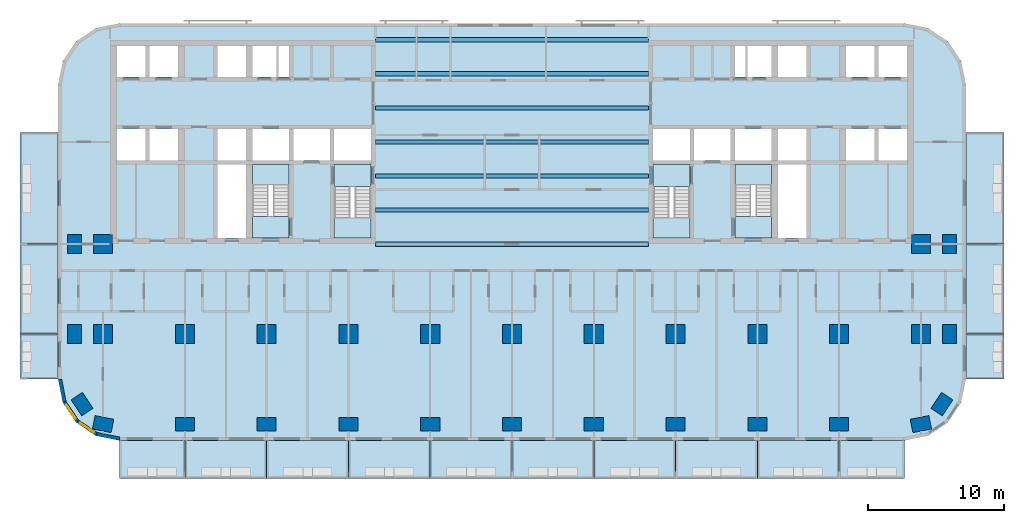
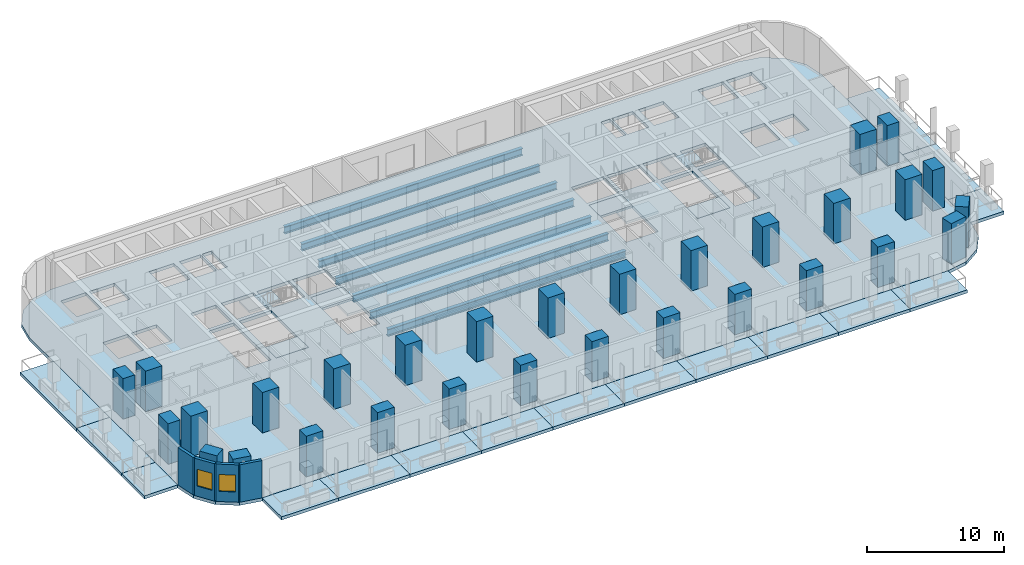
# One storey, part 1 of 15: 30 columns, 25 slabs, 7 beams, 4 walls, 2 windows, 2 openings, 4 elements without a shape of their own.
"""IFC4 building model written with IfcOpenShell, lengths in metres."""

import ifcopenshell
import ifcopenshell.guid

model = None  # the IFC model being written
_history = None  # IfcOwnerHistory: only IFC2X3 demands one
_inside = {}  # id of a spatial element -> (the spatial element, [elements in it])
_under = {}  # id of a project, library or spatial element -> (it, [spatial elements below it])
_declared = {}  # id of a project -> (the project, [libraries it declares])
_typed = {}  # id of a type object -> (the type object, [elements of that type])
_made_of = {}  # id of a material, layer set ... -> (it, [elements and type objects made of it])


def new_model(schema):
    """Start an empty IFC model of exactly this schema.

    Asked for "IFC4X3", IfcOpenShell would pick the latest addendum, in which some entities
    have other attributes; the version numbers below select the first issue.
    IFC2X3 requires an IfcOwnerHistory on every rooted entity: one is made here for all.
    """
    global model, _history
    if schema == "IFC4X3":
        model = ifcopenshell.file(schema_version=(4, 3, 0, 0))
    else:
        model = ifcopenshell.file(schema=schema)
    _inside.clear()
    _under.clear()
    _declared.clear()
    _typed.clear()
    _made_of.clear()
    _history = None
    if model.schema == "IFC2X3":
        org = make("IfcOrganization", Name="unknown")
        user = make(
            "IfcPersonAndOrganization",
            ThePerson=make("IfcPerson", FamilyName="unknown"),
            TheOrganization=org,
        )
        app = make(
            "IfcApplication",
            ApplicationDeveloper=org,
            Version="unknown",
            ApplicationFullName="unknown",
            ApplicationIdentifier="unknown",
        )
        _history = make(
            "IfcOwnerHistory",
            OwningUser=user,
            OwningApplication=app,
            ChangeAction="ADDED",
            CreationDate=0,
        )
    return model


def make(cls, **values):
    """One entity of the class cls with the attributes given. An attribute that is None is left unset."""
    return model.create_entity(
        cls, **{name: value for name, value in values.items() if value is not None}
    )


def rooted(cls, **values):
    """An entity with a GlobalId (a new one), such as an element, a storey or a relation."""
    return make(cls, GlobalId=ifcopenshell.guid.new(), OwnerHistory=_history, **values)


def si_unit(unit_type, name, prefix=None):
    """IfcSIUnit, for example si_unit("LENGTHUNIT", "METRE", prefix="MILLI")."""
    return make("IfcSIUnit", UnitType=unit_type, Prefix=prefix, Name=name)


def assignment(units):
    """IfcUnitAssignment: the units of a project."""
    return None if units is None else make("IfcUnitAssignment", Units=units)


def point(xyz):
    """IfcCartesianPoint."""
    return None if xyz is None else make("IfcCartesianPoint", Coordinates=xyz)


def direction(xyz):
    """IfcDirection."""
    return None if xyz is None else make("IfcDirection", DirectionRatios=xyz)


def frame(location, z_axis=None, x_axis=None):
    """IfcAxis2Placement3D, a coordinate frame: its origin and axes. An axis left out is left unset."""
    return make(
        "IfcAxis2Placement3D",
        Location=point(location),
        Axis=direction(z_axis),
        RefDirection=direction(x_axis),
    )


def frame_2d(location, x_axis=None):
    """IfcAxis2Placement2D, a coordinate frame in the plane: its origin and x axis."""
    return make(
        "IfcAxis2Placement2D", Location=point(location), RefDirection=direction(x_axis)
    )


def origin():
    """The frame at (0, 0, 0) with its axes left unset."""
    return frame((0.0, 0.0, 0.0))


def origin_2d():
    """The frame at (0, 0) in the plane with its x axis left unset."""
    return frame_2d((0.0, 0.0))


def place(relative_to, where):
    """IfcLocalPlacement: puts the frame where relative to a parent placement (None: the world)."""
    return make(
        "IfcLocalPlacement", PlacementRelTo=relative_to, RelativePlacement=where
    )


def context(
    kind, dimensions, precision=None, world=None, true_north=None, identifier=None
):
    """IfcGeometricRepresentationContext, for example the 3D "Model" context."""
    return make(
        "IfcGeometricRepresentationContext",
        ContextIdentifier=identifier,
        ContextType=kind,
        CoordinateSpaceDimension=dimensions,
        Precision=precision,
        WorldCoordinateSystem=world,
        TrueNorth=true_north,
    )


def subcontext(parent, identifier, kind, view, scale=None):
    """IfcGeometricRepresentationSubContext, for example "Body" below "Model"."""
    return make(
        "IfcGeometricRepresentationSubContext",
        ContextIdentifier=identifier,
        ContextType=kind,
        ParentContext=parent,
        TargetScale=scale,
        TargetView=view,
    )


def project(units=None, contexts=None):
    """IfcProject with its units and contexts."""
    return rooted(
        "IfcProject",
        Name="project",
        RepresentationContexts=contexts,
        UnitsInContext=assignment(units),
    )


def spatial(cls, under=None, at=None, **own):
    """A site, building, storey or space (cls), placed at a placement, below another one or the project."""
    s = rooted(cls, ObjectPlacement=at, **own)
    if under is not None:
        _under.setdefault(under.id(), (under, []))[1].append(s)
    return s


def polyline(points):
    """IfcPolyline through the points."""
    return make("IfcPolyline", Points=[point(p) for p in points])


def profile(cls, at=None, kind="AREA", **sizes):
    """A parametric profile (cls). Its sizes go by their IFC names, for example OverallWidth=200.0."""
    return make(cls, ProfileType=kind, Position=at, **sizes)


def rectangle(**sizes):
    """IfcRectangleProfileDef."""
    return profile("IfcRectangleProfileDef", **sizes)


def i_section(**sizes):
    """IfcIShapeProfileDef."""
    return profile("IfcIShapeProfileDef", **sizes)


def outline(outer, holes=None, kind="AREA"):
    """IfcArbitraryClosedProfileDef: a profile drawn as a closed curve; with holes, ...WithVoids."""
    if holes is None:
        return make("IfcArbitraryClosedProfileDef", ProfileType=kind, OuterCurve=outer)
    return make(
        "IfcArbitraryProfileDefWithVoids",
        ProfileType=kind,
        OuterCurve=outer,
        InnerCurves=holes,
    )


def extrude(swept, where, along, depth):
    """IfcExtrudedAreaSolid: the profile swept, set in the frame where, extruded along a direction by depth."""
    return make(
        "IfcExtrudedAreaSolid",
        SweptArea=swept,
        Position=where,
        ExtrudedDirection=direction(along),
        Depth=depth,
    )


def shape(context_of_items, identifier, shape_type, items):
    """IfcShapeRepresentation: the items that make up one representation, for example the "Body"."""
    return make(
        "IfcShapeRepresentation",
        ContextOfItems=context_of_items,
        RepresentationIdentifier=identifier,
        RepresentationType=shape_type,
        Items=items,
    )


def material(Name=None, Category=None):
    """IfcMaterial."""
    return make("IfcMaterial", Name=Name, Category=Category)


def layer(
    of_material, thickness, ventilated=None, Name=None, Category=None, Priority=None
):
    """IfcMaterialLayer: one layer of a wall or slab, of a material (None: an air gap)."""
    return make(
        "IfcMaterialLayer",
        Material=of_material,
        LayerThickness=thickness,
        IsVentilated=ventilated,
        Name=Name,
        Category=Category,
        Priority=Priority,
    )


def layer_set(layers, Name=None):
    """IfcMaterialLayerSet."""
    return make("IfcMaterialLayerSet", MaterialLayers=layers, LayerSetName=Name)


def material_profile(
    of_material, cross_section, Name=None, Category=None, Priority=None
):
    """IfcMaterialProfile: a cross section and its material."""
    return make(
        "IfcMaterialProfile",
        Name=Name,
        Material=of_material,
        Profile=cross_section,
        Priority=Priority,
        Category=Category,
    )


def profile_set(profiles, Name=None, composite=None):
    """IfcMaterialProfileSet."""
    return make(
        "IfcMaterialProfileSet",
        Name=Name,
        MaterialProfiles=profiles,
        CompositeProfile=composite,
    )


def made_of(thing, what):
    """Note that an element or type object is made of a material, layer set ...; save() writes the relation."""
    if what is not None:
        _made_of.setdefault(what.id(), (what, []))[1].append(thing)
    return thing


def type_object(cls, material=None, **own):
    """A type object (cls), such as IfcWallType, which elements share."""
    return made_of(rooted(cls, **own), material)


def element(
    cls,
    number,
    at=None,
    inside=None,
    cuts=None,
    type_object=None,
    material=None,
    context=None,
    identifier="Body",
    shape_type=None,
    held_by="IfcProductDefinitionShape",
    body=None,
    shapes=None,
    **own,
):
    """One element of the class cls, such as IfcWall. Its Tag is "e" and its number.

    at: its placement. inside: the storey or other place that contains it. cuts: it is an
    opening in that element (IfcRelVoidsElement). A single representation is given by context,
    identifier, shape_type and body (its items); several are given by shapes. held_by: the class
    of the entity that holds the representations. save() writes the other relations.
    """
    e = rooted(cls, Tag="e%d" % number, ObjectPlacement=at, **own)
    if body is not None:
        shapes = [shape(context, identifier, shape_type, body)]
    if shapes is not None:
        e.Representation = make(held_by, Representations=shapes)
    if inside is not None:
        _inside.setdefault(inside.id(), (inside, []))[1].append(e)
    if cuts is not None:
        rooted(
            "IfcRelVoidsElement", RelatingBuildingElement=cuts, RelatedOpeningElement=e
        )
    if type_object is not None:
        _typed.setdefault(type_object.id(), (type_object, []))[1].append(e)
    return made_of(e, material)


def fill(opening, filler):
    """IfcRelFillsElement: the door or window that sits in an opening."""
    return rooted(
        "IfcRelFillsElement",
        RelatingOpeningElement=opening,
        RelatedBuildingElement=filler,
    )


def aggregate(whole, parts):
    """IfcRelAggregates: a whole, such as a stair, and the parts it consists of."""
    return rooted("IfcRelAggregates", RelatingObject=whole, RelatedObjects=parts)


def save(model, path):
    """Write the relations noted so far, then the file.

    IfcRelAggregates (storeys below a building ...), IfcRelContainedInSpatialStructure (elements
    in a storey), IfcRelDefinesByType, IfcRelAssociatesMaterial and IfcRelDeclares: one each for
    every whole, place, type object, material and project.
    """
    for whole, parts in _under.values():
        aggregate(whole, parts)
    for where, things in _inside.values():
        rooted(
            "IfcRelContainedInSpatialStructure",
            RelatedElements=things,
            RelatingStructure=where,
        )
    for kind, things in _typed.values():
        rooted("IfcRelDefinesByType", RelatedObjects=things, RelatingType=kind)
    for what, things in _made_of.values():
        rooted("IfcRelAssociatesMaterial", RelatedObjects=things, RelatingMaterial=what)
    for by, libraries in _declared.values():
        rooted("IfcRelDeclares", RelatingContext=by, RelatedDefinitions=libraries)
    model.write(path)


model = new_model("IFC4")

# Units and contexts
model_context = context("Model", 3, precision=1e-05, world=origin(), true_north=direction((0.0, 1.0)))
body_context = subcontext(model_context, "Body", "Model", "MODEL_VIEW")
ifc_project = project(units=[si_unit("LENGTHUNIT", "METRE"), si_unit("AREAUNIT", "SQUARE_METRE"), si_unit("VOLUMEUNIT", "CUBIC_METRE"), si_unit("PLANEANGLEUNIT", "RADIAN"), si_unit("MASSUNIT", "GRAM", prefix="KILO")], contexts=[model_context])

# Site, building, storey
site_placement = place(None, origin())
site = spatial("IfcSite", under=ifc_project, at=site_placement, CompositionType="ELEMENT")
building_placement = place(site_placement, origin())
building = spatial("IfcBuilding", under=site, at=building_placement, Name="Torana Hotel and Residences", CompositionType="ELEMENT")
storey_placement = place(building_placement, frame((0.0, 0.0, 31.199951171875)))
storey = spatial("IfcBuildingStorey", under=building, at=storey_placement, Name="L06", CompositionType="ELEMENT", Elevation=31.199951171875)

# Columns
ifc_material_1 = material(Name="Concrete C70/85", Category="concrete")
ifc_material_profile_1 = material_profile(ifc_material_1, rectangle(XDim=1.39990234375, YDim=1.0, at=origin_2d()), Name="RC 1400x1000")
ifc_profile_set_1 = profile_set([ifc_material_profile_1], Name="Concrete C70/85")
column_type_1 = type_object("IfcColumnType", Name="COLUMN RC 1400x1000 C70/85", PredefinedType="COLUMN", material=ifc_profile_set_1)
for number, where, z_axis, x_axis, name in (
    (1, (-32.10009765625, -21.60009765625, 0.0), (0.0, 0.0, 1.0), (0.0, 1.0, 0.0), "Column L06"),
    (2, (-32.10009765625, -15.0, 0.0), (0.0, 0.0, 1.0), (0.0, 1.0, 0.0), "Column L06"),
    (3, (-31.5439453125, -26.73291015625, 0.0), (0.0, 0.0, 1.0), (-0.555584744817, 0.831459915646, 0.0), "Column L06"),
    (4, (-30.0, -28.199951171875, 0.0), (0.0, 0.0, 1.0), (-0.980792089743, 0.195056086032, 0.0), "Column L06"),
    (5, (-24.0, -28.199951171875, 0.0), (0.0, 0.0, 1.0), (1.0, 0.0, 0.0), "Column L06"),
    (6, (-18.0, -28.199951171875, 0.0), (0.0, 0.0, 1.0), (1.0, 0.0, 0.0), "Column L06"),
    (7, (-12.0, -28.199951171875, 0.0), (0.0, 0.0, 1.0), (1.0, 0.0, 0.0), "Column L06"),
    (8, (-6.0, -28.199951171875, 0.0), (0.0, 0.0, 1.0), (1.0, 0.0, 0.0), "Column L06"),
    (9, (0.0, -28.199951171875, 0.0), (0.0, 0.0, 1.0), (1.0, 0.0, 0.0), "Column L06"),
    (10, (6.0, -28.199951171875, 0.0), (0.0, 0.0, 1.0), (1.0, 0.0, 0.0), "Column L06"),
    (11, (12.0, -28.199951171875, 0.0), (0.0, 0.0, 1.0), (1.0, 0.0, 0.0), "Column L06"),
    (12, (18.0, -28.199951171875, 0.0), (0.0, 0.0, 1.0), (1.0, 0.0, 0.0), "Column L06"),
    (13, (24.0, -28.199951171875, 0.0), (0.0, 0.0, 1.0), (1.0, 0.0, 0.0), "Column L06"),
    (14, (30.0, -28.199951171875, 0.0), (0.0, 0.0, 1.0), (0.980792089743, 0.195056086032, 0.0), "Column L06"),
    (15, (31.5439453125, -26.73291015625, 0.0), (0.0, 0.0, 1.0), (0.555584744817, 0.831459915646, 0.0), "Column L06"),
    (16, (32.10009765625, -21.60009765625, 0.0), (0.0, 0.0, 1.0), (0.0, 1.0, 0.0), "Column L06"),
    (17, (32.10009765625, -15.0, 0.0), (0.0, 0.0, 1.0), (0.0, 1.0, 0.0), "Column L06"),
):
    element("IfcColumn", number, at=place(storey_placement, frame(where, z_axis=z_axis, x_axis=x_axis)), inside=storey, type_object=column_type_1, Name=name, PredefinedType="COLUMN", context=body_context, shape_type="SweptSolid", body=[
        extrude(rectangle(XDim=1.39990234375, YDim=1.0, at=origin_2d()), origin(), (0.0, 0.0, 1.0), 3.60009765625),
    ])
ifc_material_2 = material(Name="Concrete C70/85", Category="concrete")
ifc_material_profile_2 = material_profile(ifc_material_2, rectangle(XDim=1.39990234375, YDim=1.39990234375, at=origin_2d()), Name="RC 1400x1400")
ifc_profile_set_2 = profile_set([ifc_material_profile_2], Name="Concrete C70/85")
column_type_2 = type_object("IfcColumnType", Name="COLUMN RC 1400x1400 C70/85", PredefinedType="COLUMN", material=ifc_profile_set_2)
for number, where, z_axis, x_axis, name in (
    (18, (-30.0, -21.60009765625, 0.0), (0.0, 0.0, 1.0), (1.0, 0.0, 0.0), "Column L06"),
    (19, (-30.0, -15.0, 0.0), (0.0, 0.0, 1.0), (1.0, 0.0, 0.0), "Column L06"),
    (20, (-24.0, -21.60009765625, 0.0), (0.0, 0.0, 1.0), (1.0, 0.0, 0.0), "Column L06"),
    (21, (-18.0, -21.60009765625, 0.0), (0.0, 0.0, 1.0), (1.0, 0.0, 0.0), "Column L06"),
    (22, (-12.0, -21.60009765625, 0.0), (0.0, 0.0, 1.0), (1.0, 0.0, 0.0), "Column L06"),
    (23, (-6.0, -21.60009765625, 0.0), (0.0, 0.0, 1.0), (1.0, 0.0, 0.0), "Column L06"),
    (24, (0.0, -21.60009765625, 0.0), (0.0, 0.0, 1.0), (1.0, 0.0, 0.0), "Column L06"),
    (25, (6.0, -21.60009765625, 0.0), (0.0, 0.0, 1.0), (1.0, 0.0, 0.0), "Column L06"),
    (26, (12.0, -21.60009765625, 0.0), (0.0, 0.0, 1.0), (1.0, 0.0, 0.0), "Column L06"),
    (27, (18.0, -21.60009765625, 0.0), (0.0, 0.0, 1.0), (1.0, 0.0, 0.0), "Column L06"),
    (28, (24.0, -21.60009765625, 0.0), (0.0, 0.0, 1.0), (1.0, 0.0, 0.0), "Column L06"),
    (29, (30.0, -21.60009765625, 0.0), (0.0, 0.0, 1.0), (1.0, 0.0, 0.0), "Column L06"),
    (30, (30.0, -15.0, 0.0), (0.0, 0.0, 1.0), (1.0, 0.0, 0.0), "Column L06"),
):
    element("IfcColumn", number, at=place(storey_placement, frame(where, z_axis=z_axis, x_axis=x_axis)), inside=storey, type_object=column_type_2, Name=name, PredefinedType="COLUMN", context=body_context, shape_type="SweptSolid", body=[
        extrude(rectangle(XDim=1.39990234375, YDim=1.39990234375, at=origin_2d()), origin(), (0.0, 0.0, 1.0), 3.60009765625),
    ])

# Beams
ifc_material_3 = material(Name="Steel S355", Category="steel")
ifc_material_profile_3 = material_profile(ifc_material_3, i_section(OverallWidth=0.311279296875, OverallDepth=0.6357421875, WebThickness=0.018310546875, FlangeThickness=0.031494140625, FilletRadius=0.0166015625, at=origin_2d()), Name="610x305x238 UB")
ifc_profile_set_3 = profile_set([ifc_material_profile_3], Name="Steel S355")
beam_type = type_object("IfcBeamType", Name="STEEL GIRDER 610x305x238 UB", PredefinedType="BEAM", material=ifc_profile_set_3)
for number, where, z_axis, x_axis, name in (
    (31, (-10.0, -15.0, -0.597900390625), (1.0, 0.0, 0.0), (0.0, 1.0, 0.0), "Floor girder"),
    (32, (-10.0, -12.5, -0.597900390625), (1.0, 0.0, 0.0), (0.0, 1.0, 0.0), "Floor girder"),
    (33, (-10.0, -10.0, -0.597900390625), (1.0, 0.0, 0.0), (0.0, 1.0, 0.0), "Floor girder"),
    (34, (-10.0, -7.5, -0.597900390625), (1.0, 0.0, 0.0), (0.0, 1.0, 0.0), "Floor girder"),
    (35, (-10.0, -5.0, -0.597900390625), (1.0, 0.0, 0.0), (0.0, 1.0, 0.0), "Floor girder"),
    (36, (-10.0, -2.5, -0.597900390625), (1.0, 0.0, 0.0), (0.0, 1.0, 0.0), "Floor girder"),
    (37, (-10.0, 0.0, -0.597900390625), (1.0, 0.0, 0.0), (0.0, 1.0, 0.0), "Floor girder"),
):
    element("IfcBeam", number, at=place(storey_placement, frame(where, z_axis=z_axis, x_axis=x_axis)), inside=storey, type_object=beam_type, Name=name, PredefinedType="BEAM", context=body_context, shape_type="SweptSolid", body=[
        extrude(i_section(OverallWidth=0.311279296875, OverallDepth=0.6357421875, WebThickness=0.018310546875, FlangeThickness=0.031494140625, FilletRadius=0.0166015625, at=origin_2d()), origin(), (0.0, 0.0, 1.0), 20.0),
    ])

# Slabs
ifc_material_4 = material(Name="Concrete C40/50", Category="concrete")
ifc_layer_1 = layer(ifc_material_4, 0.280029296875)
ifc_layer_set_1 = layer_set([ifc_layer_1], Name="BAL1 BALCONY SLAB 280")
slab_type_1 = type_object("IfcSlabType", Name="BAL1 BALCONY SLAB 280", PredefinedType="USERDEFINED", material=ifc_layer_set_1)
slab_1_placement = place(storey_placement, frame((0.0, 0.0, -0.280029296875)))
element("IfcSlab", 38, at=slab_1_placement, inside=storey, type_object=slab_type_1, Name="Balcony 01", ObjectType="BALCONY", PredefinedType="USERDEFINED", context=body_context, shape_type="SweptSolid", body=[
    extrude(outline(polyline([(-28.800048828125, -32.199951171875), (-24.0, -32.199951171875), (-24.0, -29.39990234375), (-28.800048828125, -29.39990234375), (-28.800048828125, -32.199951171875)])), origin(), (0.0, 0.0, 1.0), 0.280029296875),
])
slab_2_placement = place(storey_placement, frame((0.0, 0.0, -0.280029296875)))
element("IfcSlab", 39, at=slab_2_placement, inside=storey, type_object=slab_type_1, Name="Balcony 02", ObjectType="BALCONY", PredefinedType="USERDEFINED", context=body_context, shape_type="SweptSolid", body=[
    extrude(outline(polyline([(-24.0, -32.199951171875), (-18.0, -32.199951171875), (-18.0, -29.39990234375), (-24.0, -29.39990234375), (-24.0, -32.199951171875)])), origin(), (0.0, 0.0, 1.0), 0.280029296875),
])
slab_3_placement = place(storey_placement, frame((0.0, 0.0, -0.280029296875)))
element("IfcSlab", 40, at=slab_3_placement, inside=storey, type_object=slab_type_1, Name="Balcony 03", ObjectType="BALCONY", PredefinedType="USERDEFINED", context=body_context, shape_type="SweptSolid", body=[
    extrude(outline(polyline([(-18.0, -32.199951171875), (-12.0, -32.199951171875), (-12.0, -29.39990234375), (-18.0, -29.39990234375), (-18.0, -32.199951171875)])), origin(), (0.0, 0.0, 1.0), 0.280029296875),
])
slab_4_placement = place(storey_placement, frame((0.0, 0.0, -0.280029296875)))
element("IfcSlab", 41, at=slab_4_placement, inside=storey, type_object=slab_type_1, Name="Balcony 04", ObjectType="BALCONY", PredefinedType="USERDEFINED", context=body_context, shape_type="SweptSolid", body=[
    extrude(outline(polyline([(-12.0, -32.199951171875), (-6.0, -32.199951171875), (-6.0, -29.39990234375), (-12.0, -29.39990234375), (-12.0, -32.199951171875)])), origin(), (0.0, 0.0, 1.0), 0.280029296875),
])
slab_5_placement = place(storey_placement, frame((0.0, 0.0, -0.280029296875)))
element("IfcSlab", 42, at=slab_5_placement, inside=storey, type_object=slab_type_1, Name="Balcony 05", ObjectType="BALCONY", PredefinedType="USERDEFINED", context=body_context, shape_type="SweptSolid", body=[
    extrude(outline(polyline([(-6.0, -32.199951171875), (0.0, -32.199951171875), (0.0, -29.39990234375), (-6.0, -29.39990234375), (-6.0, -32.199951171875)])), origin(), (0.0, 0.0, 1.0), 0.280029296875),
])
slab_6_placement = place(storey_placement, frame((0.0, 0.0, -0.280029296875)))
element("IfcSlab", 43, at=slab_6_placement, inside=storey, type_object=slab_type_1, Name="Balcony 06", ObjectType="BALCONY", PredefinedType="USERDEFINED", context=body_context, shape_type="SweptSolid", body=[
    extrude(outline(polyline([(0.0, -32.199951171875), (6.0, -32.199951171875), (6.0, -29.39990234375), (0.0, -29.39990234375), (0.0, -32.199951171875)])), origin(), (0.0, 0.0, 1.0), 0.280029296875),
])
slab_7_placement = place(storey_placement, frame((0.0, 0.0, -0.280029296875)))
element("IfcSlab", 44, at=slab_7_placement, inside=storey, type_object=slab_type_1, Name="Balcony 07", ObjectType="BALCONY", PredefinedType="USERDEFINED", context=body_context, shape_type="SweptSolid", body=[
    extrude(outline(polyline([(6.0, -32.199951171875), (12.0, -32.199951171875), (12.0, -29.39990234375), (6.0, -29.39990234375), (6.0, -32.199951171875)])), origin(), (0.0, 0.0, 1.0), 0.280029296875),
])
slab_8_placement = place(storey_placement, frame((0.0, 0.0, -0.280029296875)))
element("IfcSlab", 45, at=slab_8_placement, inside=storey, type_object=slab_type_1, Name="Balcony 08", ObjectType="BALCONY", PredefinedType="USERDEFINED", context=body_context, shape_type="SweptSolid", body=[
    extrude(outline(polyline([(12.0, -32.199951171875), (18.0, -32.199951171875), (18.0, -29.39990234375), (12.0, -29.39990234375), (12.0, -32.199951171875)])), origin(), (0.0, 0.0, 1.0), 0.280029296875),
])
slab_9_placement = place(storey_placement, frame((0.0, 0.0, -0.280029296875)))
element("IfcSlab", 46, at=slab_9_placement, inside=storey, type_object=slab_type_1, Name="Balcony 09", ObjectType="BALCONY", PredefinedType="USERDEFINED", context=body_context, shape_type="SweptSolid", body=[
    extrude(outline(polyline([(18.0, -32.199951171875), (24.0, -32.199951171875), (24.0, -29.39990234375), (18.0, -29.39990234375), (18.0, -32.199951171875)])), origin(), (0.0, 0.0, 1.0), 0.280029296875),
])
slab_10_placement = place(storey_placement, frame((0.0, 0.0, -0.280029296875)))
element("IfcSlab", 47, at=slab_10_placement, inside=storey, type_object=slab_type_1, Name="Balcony 10", ObjectType="BALCONY", PredefinedType="USERDEFINED", context=body_context, shape_type="SweptSolid", body=[
    extrude(outline(polyline([(24.0, -32.199951171875), (28.800048828125, -32.199951171875), (28.800048828125, -29.39990234375), (24.0, -29.39990234375), (24.0, -32.199951171875)])), origin(), (0.0, 0.0, 1.0), 0.280029296875),
])
slab_11_placement = place(storey_placement, frame((0.0, 0.0, -0.280029296875)))
element("IfcSlab", 48, at=slab_11_placement, inside=storey, type_object=slab_type_1, Name="Balcony 11", ObjectType="BALCONY", PredefinedType="USERDEFINED", context=body_context, shape_type="SweptSolid", body=[
    extrude(outline(polyline([(-36.10009765625, -24.89990234375), (-33.300048828125, -24.89990234375), (-33.300048828125, -21.60009765625), (-36.10009765625, -21.60009765625), (-36.10009765625, -24.89990234375)])), origin(), (0.0, 0.0, 1.0), 0.280029296875),
])
slab_12_placement = place(storey_placement, frame((0.0, 0.0, -0.280029296875)))
element("IfcSlab", 49, at=slab_12_placement, inside=storey, type_object=slab_type_1, Name="Balcony 12", ObjectType="BALCONY", PredefinedType="USERDEFINED", context=body_context, shape_type="SweptSolid", body=[
    extrude(outline(polyline([(-36.10009765625, -21.60009765625), (-33.300048828125, -21.60009765625), (-33.300048828125, -15.0), (-36.10009765625, -15.0), (-36.10009765625, -21.60009765625)])), origin(), (0.0, 0.0, 1.0), 0.280029296875),
])
slab_13_placement = place(storey_placement, frame((0.0, 0.0, -0.280029296875)))
element("IfcSlab", 50, at=slab_13_placement, inside=storey, type_object=slab_type_1, Name="Balcony 13", ObjectType="BALCONY", PredefinedType="USERDEFINED", context=body_context, shape_type="SweptSolid", body=[
    extrude(outline(polyline([(-36.10009765625, -15.0), (-33.300048828125, -15.0), (-33.300048828125, -6.800048828125), (-36.10009765625, -6.800048828125), (-36.10009765625, -15.0)])), origin(), (0.0, 0.0, 1.0), 0.280029296875),
])
slab_14_placement = place(storey_placement, frame((0.0, 0.0, -0.280029296875)))
element("IfcSlab", 51, at=slab_14_placement, inside=storey, type_object=slab_type_1, Name="Balcony 14", ObjectType="BALCONY", PredefinedType="USERDEFINED", context=body_context, shape_type="SweptSolid", body=[
    extrude(outline(polyline([(33.300048828125, -24.89990234375), (36.10009765625, -24.89990234375), (36.10009765625, -21.60009765625), (33.300048828125, -21.60009765625), (33.300048828125, -24.89990234375)])), origin(), (0.0, 0.0, 1.0), 0.280029296875),
])
slab_15_placement = place(storey_placement, frame((0.0, 0.0, -0.280029296875)))
element("IfcSlab", 52, at=slab_15_placement, inside=storey, type_object=slab_type_1, Name="Balcony 15", ObjectType="BALCONY", PredefinedType="USERDEFINED", context=body_context, shape_type="SweptSolid", body=[
    extrude(outline(polyline([(33.300048828125, -21.60009765625), (36.10009765625, -21.60009765625), (36.10009765625, -15.0), (33.300048828125, -15.0), (33.300048828125, -21.60009765625)])), origin(), (0.0, 0.0, 1.0), 0.280029296875),
])
slab_16_placement = place(storey_placement, frame((0.0, 0.0, -0.280029296875)))
element("IfcSlab", 53, at=slab_16_placement, inside=storey, type_object=slab_type_1, Name="Balcony 16", ObjectType="BALCONY", PredefinedType="USERDEFINED", context=body_context, shape_type="SweptSolid", body=[
    extrude(outline(polyline([(33.300048828125, -15.0), (36.10009765625, -15.0), (36.10009765625, -6.800048828125), (33.300048828125, -6.800048828125), (33.300048828125, -15.0)])), origin(), (0.0, 0.0, 1.0), 0.280029296875),
])
ifc_material_5 = material(Name="Concrete C40/50", Category="concrete")
ifc_layer_2 = layer(ifc_material_5, 0.280029296875)
ifc_layer_set_2 = layer_set([ifc_layer_2], Name="FLOOR SLAB PT 280")
slab_type_2 = type_object("IfcSlabType", Name="FLOOR SLAB PT 280", PredefinedType="FLOOR", material=ifc_layer_set_2)
slab_17_placement = place(storey_placement, frame((0.0, 0.0, -0.280029296875)))
element("IfcSlab", 54, at=slab_17_placement, inside=storey, type_object=slab_type_2, Name="Floor slab", PredefinedType="FLOOR", context=body_context, shape_type="SweptSolid", body=[
    extrude(outline(polyline([(33.300048828125, -3.300048828125), (32.95751953125, -1.577880859375), (31.98193359375, -0.117919921875), (30.522216796875, 0.857421875), (28.800048828125, 1.199951171875), (-28.800048828125, 1.199951171875), (-30.522216796875, 0.857421875), (-31.98193359375, -0.117919921875), (-32.95751953125, -1.577880859375), (-33.300048828125, -3.300048828125), (-33.300048828125, -24.89990234375), (-32.95751953125, -26.6220703125), (-31.98193359375, -28.08203125), (-30.522216796875, -29.0576171875), (-28.800048828125, -29.39990234375), (28.800048828125, -29.39990234375), (30.522216796875, -29.0576171875), (31.98193359375, -28.08203125), (32.95751953125, -26.6220703125), (33.300048828125, -24.89990234375), (33.300048828125, -3.300048828125)]), holes=[polyline([(-13.050048828125, -14.550048828125), (-10.35009765625, -14.550048828125), (-10.35009765625, -9.14990234375), (-13.050048828125, -9.14990234375), (-13.050048828125, -14.550048828125)]), polyline([(-19.050048828125, -14.550048828125), (-16.35009765625, -14.550048828125), (-16.35009765625, -9.14990234375), (-19.050048828125, -9.14990234375), (-19.050048828125, -14.550048828125)]), polyline([(-17.125, -2.75), (-16.35009765625, -2.75), (-16.35009765625, -0.449951171875), (-17.125, -0.449951171875), (-17.125, -2.75)]), polyline([(-19.050048828125, -2.75), (-17.27490234375, -2.75), (-17.27490234375, -0.449951171875), (-19.050048828125, -0.449951171875), (-19.050048828125, -2.75)]), polyline([(-26.60009765625, -2.75), (-24.5, -2.75), (-24.5, -0.449951171875), (-26.60009765625, -0.449951171875), (-26.60009765625, -2.75)]), polyline([(-29.0, -2.75), (-26.89990234375, -2.75), (-26.89990234375, -0.449951171875), (-29.0, -0.449951171875), (-29.0, -2.75)]), polyline([(-26.60009765625, -8.85009765625), (-24.5, -8.85009765625), (-24.5, -6.550048828125), (-26.60009765625, -6.550048828125), (-26.60009765625, -8.85009765625)]), polyline([(-29.0, -8.85009765625), (-26.89990234375, -8.85009765625), (-26.89990234375, -6.550048828125), (-29.0, -6.550048828125), (-29.0, -8.85009765625)]), polyline([(-21.60009765625, -2.75), (-19.5, -2.75), (-19.5, -0.449951171875), (-21.60009765625, -0.449951171875), (-21.60009765625, -2.75)]), polyline([(-21.60009765625, -8.85009765625), (-19.5, -8.85009765625), (-19.5, -6.550048828125), (-21.60009765625, -6.550048828125), (-21.60009765625, -8.85009765625)]), polyline([(-13.050048828125, -8.85009765625), (-10.35009765625, -8.85009765625), (-10.35009765625, -6.550048828125), (-13.050048828125, -6.550048828125), (-13.050048828125, -8.85009765625)]), polyline([(-16.050048828125, -8.85009765625), (-13.35009765625, -8.85009765625), (-13.35009765625, -6.550048828125), (-16.050048828125, -6.550048828125), (-16.050048828125, -8.85009765625)]), polyline([(-19.050048828125, -8.85009765625), (-16.35009765625, -8.85009765625), (-16.35009765625, -6.550048828125), (-19.050048828125, -6.550048828125), (-19.050048828125, -8.85009765625)]), polyline([(-21.60009765625, -14.550048828125), (-19.5, -14.550048828125), (-19.5, -9.14990234375), (-21.60009765625, -9.14990234375), (-21.60009765625, -14.550048828125)]), polyline([(10.35009765625, -14.550048828125), (13.050048828125, -14.550048828125), (13.050048828125, -9.14990234375), (10.35009765625, -9.14990234375), (10.35009765625, -14.550048828125)]), polyline([(16.35009765625, -14.550048828125), (19.050048828125, -14.550048828125), (19.050048828125, -9.14990234375), (16.35009765625, -9.14990234375), (16.35009765625, -14.550048828125)]), polyline([(16.35009765625, -2.75), (17.125, -2.75), (17.125, -0.449951171875), (16.35009765625, -0.449951171875), (16.35009765625, -2.75)]), polyline([(17.27490234375, -2.75), (19.050048828125, -2.75), (19.050048828125, -0.449951171875), (17.27490234375, -0.449951171875), (17.27490234375, -2.75)]), polyline([(24.5, -2.75), (26.60009765625, -2.75), (26.60009765625, -0.449951171875), (24.5, -0.449951171875), (24.5, -2.75)]), polyline([(26.89990234375, -2.75), (29.0, -2.75), (29.0, -0.449951171875), (26.89990234375, -0.449951171875), (26.89990234375, -2.75)]), polyline([(24.5, -8.85009765625), (26.60009765625, -8.85009765625), (26.60009765625, -6.550048828125), (24.5, -6.550048828125), (24.5, -8.85009765625)]), polyline([(26.89990234375, -8.85009765625), (29.0, -8.85009765625), (29.0, -6.550048828125), (26.89990234375, -6.550048828125), (26.89990234375, -8.85009765625)]), polyline([(19.5, -2.75), (21.60009765625, -2.75), (21.60009765625, -0.449951171875), (19.5, -0.449951171875), (19.5, -2.75)]), polyline([(19.5, -8.85009765625), (21.60009765625, -8.85009765625), (21.60009765625, -6.550048828125), (19.5, -6.550048828125), (19.5, -8.85009765625)]), polyline([(10.35009765625, -8.85009765625), (13.050048828125, -8.85009765625), (13.050048828125, -6.550048828125), (10.35009765625, -6.550048828125), (10.35009765625, -8.85009765625)]), polyline([(13.35009765625, -8.85009765625), (16.050048828125, -8.85009765625), (16.050048828125, -6.550048828125), (13.35009765625, -6.550048828125), (13.35009765625, -8.85009765625)]), polyline([(16.35009765625, -8.85009765625), (19.050048828125, -8.85009765625), (19.050048828125, -6.550048828125), (16.35009765625, -6.550048828125), (16.35009765625, -8.85009765625)]), polyline([(19.5, -14.550048828125), (21.60009765625, -14.550048828125), (21.60009765625, -9.14990234375), (19.5, -9.14990234375), (19.5, -14.550048828125)])]), origin(), (0.0, 0.0, 1.0), 0.280029296875),
])

# Stair, slabs
ifc_material_6 = material(Name="Concrete C40/50 precast", Category="concrete")
stair_type_1 = type_object("IfcStairType", Name="STAIR ST1 HALF TURN 1200", PredefinedType="HALF_TURN_STAIR", material=ifc_material_6)
stair_1_placement = place(storey_placement, origin())
stair_1 = element("IfcStair", 55, at=stair_1_placement, inside=storey, type_object=stair_type_1, Name="Stair ST1 L06", PredefinedType="HALF_TURN_STAIR")
ifc_material_7 = material(Name="Concrete C40/50 precast", Category="concrete")
ifc_layer_3 = layer(ifc_material_7, 0.199951171875)
ifc_layer_set_3 = layer_set([ifc_layer_3], Name="STAIR LANDING 200")
slab_type_3 = type_object("IfcSlabType", Name="STAIR LANDING 200", PredefinedType="LANDING", material=ifc_layer_set_3)
slab_18_placement = place(storey_placement, frame((0.0, 0.0, 1.60009765625)))
slab_18 = element("IfcSlab", 56, at=slab_18_placement, type_object=slab_type_3, Name="ST1 landing 1", PredefinedType="LANDING", context=body_context, shape_type="SweptSolid", body=[
    extrude(outline(polyline([(-13.050048828125, -14.550048828125), (-10.35009765625, -14.550048828125), (-10.35009765625, -13.090087890625), (-13.050048828125, -13.090087890625), (-13.050048828125, -14.550048828125)])), origin(), (0.0, 0.0, 1.0), 0.199951171875),
])
slab_19_placement = place(storey_placement, frame((0.0, 0.0, -0.199951171875)))
slab_19 = element("IfcSlab", 57, at=slab_19_placement, type_object=slab_type_3, Name="ST1 landing 2", PredefinedType="LANDING", context=body_context, shape_type="SweptSolid", body=[
    extrude(outline(polyline([(-13.050048828125, -10.75), (-10.35009765625, -10.75), (-10.35009765625, -9.14990234375), (-13.050048828125, -9.14990234375), (-13.050048828125, -10.75)])), origin(), (0.0, 0.0, 1.0), 0.199951171875),
])
aggregate(stair_1, [slab_18, slab_19])

ifc_material_8 = material(Name="Concrete C40/50 precast", Category="concrete")
stair_type_2 = type_object("IfcStairType", Name="STAIR ST2 HALF TURN 1200", PredefinedType="HALF_TURN_STAIR", material=ifc_material_8)
stair_2_placement = place(storey_placement, origin())
stair_2 = element("IfcStair", 58, at=stair_2_placement, inside=storey, type_object=stair_type_2, Name="Stair ST2 L06", PredefinedType="HALF_TURN_STAIR")
slab_20_placement = place(storey_placement, frame((0.0, 0.0, 1.60009765625)))
slab_20 = element("IfcSlab", 59, at=slab_20_placement, type_object=slab_type_3, Name="ST2 landing 1", PredefinedType="LANDING", context=body_context, shape_type="SweptSolid", body=[
    extrude(outline(polyline([(-19.050048828125, -10.610107421875), (-16.35009765625, -10.610107421875), (-16.35009765625, -9.14990234375), (-19.050048828125, -9.14990234375), (-19.050048828125, -10.610107421875)])), origin(), (0.0, 0.0, 1.0), 0.199951171875),
])
slab_21_placement = place(storey_placement, frame((0.0, 0.0, -0.199951171875)))
slab_21 = element("IfcSlab", 60, at=slab_21_placement, type_object=slab_type_3, Name="ST2 landing 2", PredefinedType="LANDING", context=body_context, shape_type="SweptSolid", body=[
    extrude(outline(polyline([(-19.050048828125, -14.550048828125), (-16.35009765625, -14.550048828125), (-16.35009765625, -12.949951171875), (-19.050048828125, -12.949951171875), (-19.050048828125, -14.550048828125)])), origin(), (0.0, 0.0, 1.0), 0.199951171875),
])
aggregate(stair_2, [slab_20, slab_21])

ifc_material_9 = material(Name="Concrete C40/50 precast", Category="concrete")
stair_type_3 = type_object("IfcStairType", Name="STAIR ST3 HALF TURN 1200", PredefinedType="HALF_TURN_STAIR", material=ifc_material_9)
stair_3_placement = place(storey_placement, origin())
stair_3 = element("IfcStair", 61, at=stair_3_placement, inside=storey, type_object=stair_type_3, Name="Stair ST3 L06", PredefinedType="HALF_TURN_STAIR")
slab_22_placement = place(storey_placement, frame((0.0, 0.0, 1.60009765625)))
slab_22 = element("IfcSlab", 62, at=slab_22_placement, type_object=slab_type_3, Name="ST3 landing 1", PredefinedType="LANDING", context=body_context, shape_type="SweptSolid", body=[
    extrude(outline(polyline([(10.35009765625, -14.550048828125), (13.050048828125, -14.550048828125), (13.050048828125, -13.090087890625), (10.35009765625, -13.090087890625), (10.35009765625, -14.550048828125)])), origin(), (0.0, 0.0, 1.0), 0.199951171875),
])
slab_23_placement = place(storey_placement, frame((0.0, 0.0, -0.199951171875)))
slab_23 = element("IfcSlab", 63, at=slab_23_placement, type_object=slab_type_3, Name="ST3 landing 2", PredefinedType="LANDING", context=body_context, shape_type="SweptSolid", body=[
    extrude(outline(polyline([(10.35009765625, -10.75), (13.050048828125, -10.75), (13.050048828125, -9.14990234375), (10.35009765625, -9.14990234375), (10.35009765625, -10.75)])), origin(), (0.0, 0.0, 1.0), 0.199951171875),
])
aggregate(stair_3, [slab_22, slab_23])

ifc_material_10 = material(Name="Concrete C40/50 precast", Category="concrete")
stair_type_4 = type_object("IfcStairType", Name="STAIR ST4 HALF TURN 1200", PredefinedType="HALF_TURN_STAIR", material=ifc_material_10)
stair_4_placement = place(storey_placement, origin())
stair_4 = element("IfcStair", 64, at=stair_4_placement, inside=storey, type_object=stair_type_4, Name="Stair ST4 L06", PredefinedType="HALF_TURN_STAIR")
slab_24_placement = place(storey_placement, frame((0.0, 0.0, 1.60009765625)))
slab_24 = element("IfcSlab", 65, at=slab_24_placement, type_object=slab_type_3, Name="ST4 landing 1", PredefinedType="LANDING", context=body_context, shape_type="SweptSolid", body=[
    extrude(outline(polyline([(16.35009765625, -10.610107421875), (19.050048828125, -10.610107421875), (19.050048828125, -9.14990234375), (16.35009765625, -9.14990234375), (16.35009765625, -10.610107421875)])), origin(), (0.0, 0.0, 1.0), 0.199951171875),
])
slab_25_placement = place(storey_placement, frame((0.0, 0.0, -0.199951171875)))
slab_25 = element("IfcSlab", 66, at=slab_25_placement, type_object=slab_type_3, Name="ST4 landing 2", PredefinedType="LANDING", context=body_context, shape_type="SweptSolid", body=[
    extrude(outline(polyline([(16.35009765625, -14.550048828125), (19.050048828125, -14.550048828125), (19.050048828125, -12.949951171875), (16.35009765625, -12.949951171875), (16.35009765625, -14.550048828125)])), origin(), (0.0, 0.0, 1.0), 0.199951171875),
])
aggregate(stair_4, [slab_24, slab_25])

# Wall
ifc_material_11 = material(Name="Black aluminium composite panel", Category="aluminium")
ifc_layer_4 = layer(ifc_material_11, 0.00390625, Name="Cladding", Category="cladding")
ifc_material_12 = material(Name="Ventilated air cavity")
ifc_layer_5 = layer(ifc_material_12, 0.0400390625, Name="Ventilated cavity", Category="cavity")
ifc_material_13 = material(Name="Mineral wool insulation")
ifc_layer_6 = layer(ifc_material_13, 0.090087890625, Name="Insulation", Category="insulation")
ifc_material_14 = material(Name="Steel S280GD", Category="steel")
ifc_layer_7 = layer(ifc_material_14, 0.092041015625, Name="Steel stud frame", Category="structure")
ifc_material_15 = material(Name="Fire rated plasterboard")
ifc_layer_8 = layer(ifc_material_15, 0.011962890625, Name="Inner board", Category="finish")
ifc_layer_9 = layer(ifc_material_15, 0.011962890625, Name="Second board", Category="finish")
ifc_layer_set_4 = layer_set([ifc_layer_4, ifc_layer_5, ifc_layer_6, ifc_layer_7, ifc_layer_8, ifc_layer_9], Name="EW1 EXTERNAL WALL BLACK METAL CLAD 250")
wall_type = type_object("IfcWallType", Name="EW1 EXTERNAL WALL BLACK METAL CLAD 250", PredefinedType="SOLIDWALL", material=ifc_layer_set_4)
wall_1_placement = place(storey_placement, frame((-33.172607421875, -24.89990234375, 0.0), z_axis=(0.0, 0.0, 1.0), x_axis=(0.195166572128, -0.980770110232, 0.0)))
element("IfcWall", 67, at=wall_1_placement, inside=storey, type_object=wall_type, Name="External wall L06 e0.10", PredefinedType="SOLIDWALL", context=body_context, shape_type="SweptSolid", body=[
    extrude(rectangle(XDim=1.68115234375, YDim=0.25, at=frame_2d((0.840576171875, 0.0))), origin(), (0.0, 0.0, 1.0), 3.320068359375),
])

# Wall, opening, window
wall_2_placement = place(storey_placement, frame((-32.825927734375, -26.593994140625, 0.0), z_axis=(0.0, 0.0, 1.0), x_axis=(0.55555029066, -0.831482937015, 0.0)))
wall_2 = element("IfcWall", 68, at=wall_2_placement, inside=storey, type_object=wall_type, Name="External wall L06 e0.11", PredefinedType="SOLIDWALL", context=body_context, shape_type="SweptSolid", body=[
    extrude(rectangle(XDim=1.65625, YDim=0.25, at=frame_2d((0.828125, 0.0))), origin(), (0.0, 0.0, 1.0), 3.320068359375),
])
opening_1_placement = place(wall_2_placement, frame((0.228271484375, 0.0, 0.89990234375)))
opening_1 = element("IfcOpeningElement", 69, at=opening_1_placement, cuts=wall_2, Name="Opening W5", PredefinedType="OPENING", context=body_context, shape_type="SweptSolid", body=[
    extrude(rectangle(XDim=1.199951171875, YDim=1.5, at=frame_2d((0.60009765625, 0.75))), frame((0.0, 0.135009765625, 0.0), z_axis=(0.0, -1.0, 0.0), x_axis=(1.0, 0.0, 0.0)), (0.0, 0.0, 1.0), 0.27001953125),
])
ifc_material_16 = material(Name="Dark glass in black aluminium frame", Category="aluminium")
window_type = type_object("IfcWindowType", Name="W5 CORNER FACET WINDOW 1200x1500", PartitioningType="SINGLE_PANEL", PredefinedType="WINDOW", material=ifc_material_16)
window_1_placement = place(opening_1_placement, origin())
window_1 = element("IfcWindow", 70, at=window_1_placement, inside=storey, type_object=window_type, Name="Window L06 e0.11", OverallHeight=1.5, OverallWidth=1.199951171875, PartitioningType="SINGLE_PANEL", PredefinedType="WINDOW", context=body_context, shape_type="SweptSolid", body=[
    extrude(rectangle(XDim=1.199951171875, YDim=1.5, at=frame_2d((0.60009765625, 0.75))), frame((0.0, 0.030029296875, 0.0), z_axis=(0.0, -1.0, 0.0), x_axis=(1.0, 0.0, 0.0)), (0.0, 0.0, 1.0), 0.06005859375),
])
fill(opening_1, window_1)

wall_3_placement = place(storey_placement, frame((-31.87109375, -28.005615234375, 0.0), z_axis=(0.0, 0.0, 1.0), x_axis=(0.831482937015, -0.55555029066, 0.0)))
wall_3 = element("IfcWall", 71, at=wall_3_placement, inside=storey, type_object=wall_type, Name="External wall L06 e0.12", PredefinedType="SOLIDWALL", context=body_context, shape_type="SweptSolid", body=[
    extrude(rectangle(XDim=1.65625, YDim=0.25, at=frame_2d((0.828125, 0.0))), origin(), (0.0, 0.0, 1.0), 3.320068359375),
])
opening_2_placement = place(wall_3_placement, frame((0.228271484375, 0.0, 0.89990234375)))
opening_2 = element("IfcOpeningElement", 72, at=opening_2_placement, cuts=wall_3, Name="Opening W5", PredefinedType="OPENING", context=body_context, shape_type="SweptSolid", body=[
    extrude(rectangle(XDim=1.199951171875, YDim=1.5, at=frame_2d((0.60009765625, 0.75))), frame((0.0, 0.135009765625, 0.0), z_axis=(0.0, -1.0, 0.0), x_axis=(1.0, 0.0, 0.0)), (0.0, 0.0, 1.0), 0.27001953125),
])
window_2_placement = place(opening_2_placement, origin())
window_2 = element("IfcWindow", 73, at=window_2_placement, inside=storey, type_object=window_type, Name="Window L06 e0.12", OverallHeight=1.5, OverallWidth=1.199951171875, PartitioningType="SINGLE_PANEL", PredefinedType="WINDOW", context=body_context, shape_type="SweptSolid", body=[
    extrude(rectangle(XDim=1.199951171875, YDim=1.5, at=frame_2d((0.60009765625, 0.75))), frame((0.0, 0.030029296875, 0.0), z_axis=(0.0, -1.0, 0.0), x_axis=(1.0, 0.0, 0.0)), (0.0, 0.0, 1.0), 0.06005859375),
])
fill(opening_2, window_2)

# Wall
wall_4_placement = place(storey_placement, frame((-30.448974609375, -28.944580078125, 0.0), z_axis=(0.0, 0.0, 1.0), x_axis=(0.980775640221, -0.19513878023, 0.0)))
element("IfcWall", 74, at=wall_4_placement, inside=storey, type_object=wall_type, Name="External wall L06 e0.13", PredefinedType="SOLIDWALL", context=body_context, shape_type="SweptSolid", body=[
    extrude(rectangle(XDim=1.681396484375, YDim=0.25, at=frame_2d((0.8408203125, 0.0))), origin(), (0.0, 0.0, 1.0), 3.320068359375),
])

save(model, "model.ifc")
